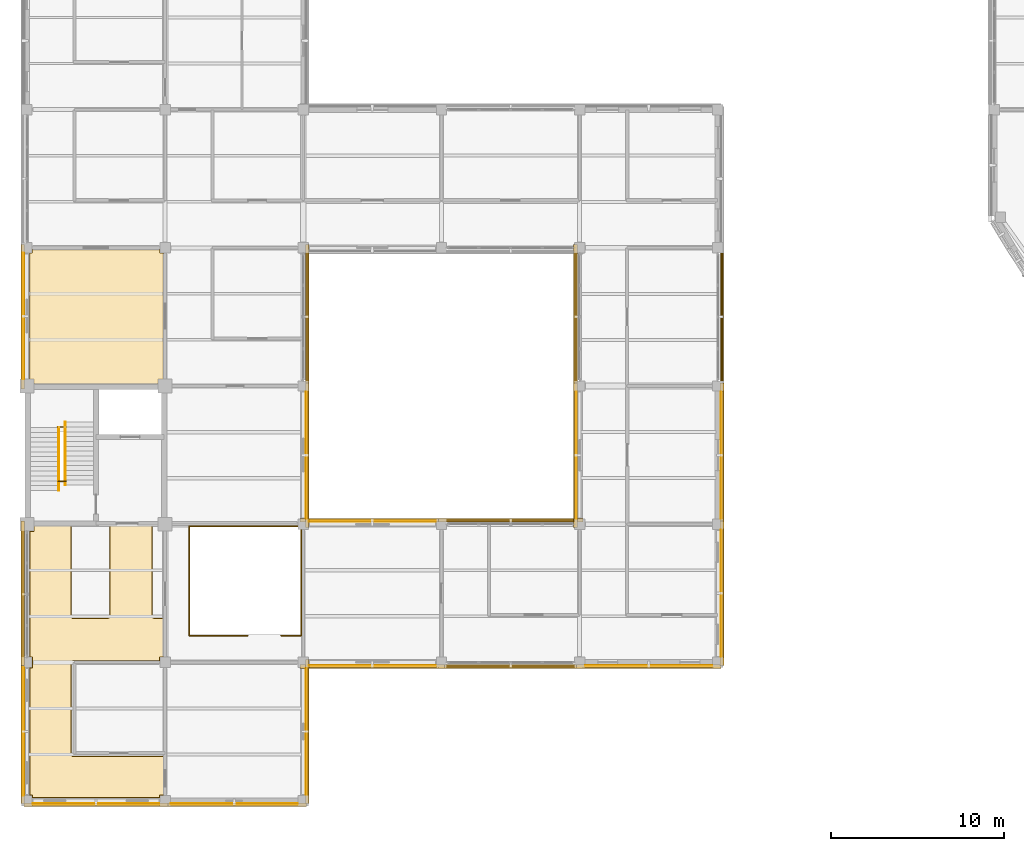
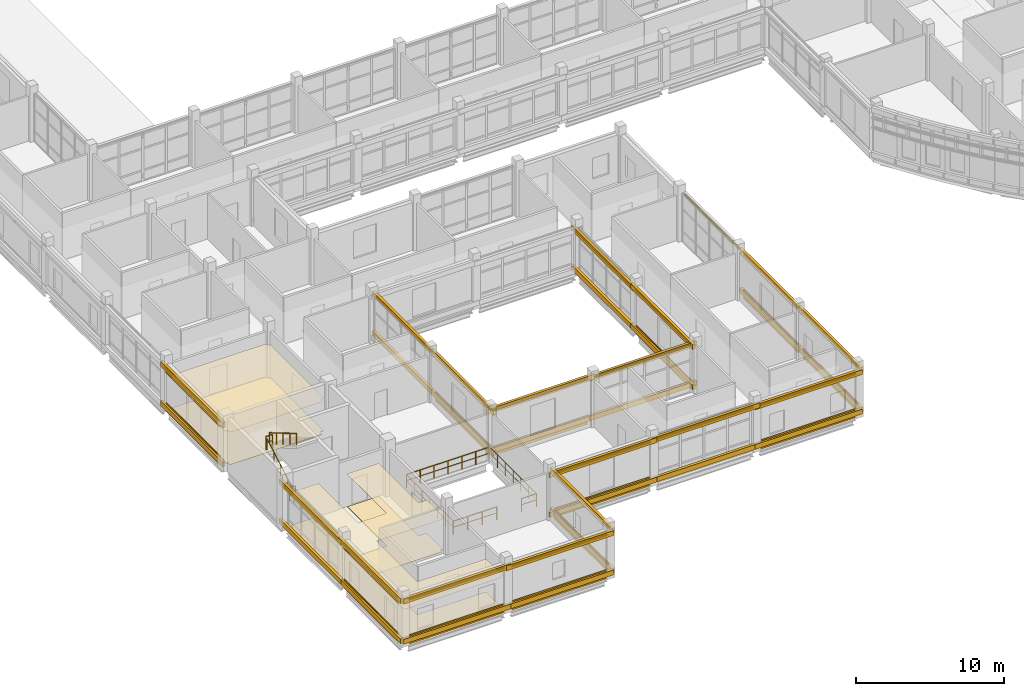
# One storey, part 107 of 121: 50 coverings, 20 shading devices, 9 railings.
"""IFC4 building model written with IfcOpenShell, lengths in metres."""

from ifc_helpers import new_model, si_unit, derived_unit, direction, frame, origin, origin_2d, place, context, subcontext, project, spatial, polyline, rectangle, circle, outline, extrude, material, layer, layer_set, material_profile, profile_set, type_object, element, save


model = new_model("IFC4")

# Units and contexts
model_context = context("Model", 3, precision=1e-05, world=origin(), true_north=direction((0.0, 1.0)))
body_context = subcontext(model_context, "Body", "Model", "MODEL_VIEW")
ifc_project = project(units=[si_unit("LENGTHUNIT", "METRE"), si_unit("AREAUNIT", "SQUARE_METRE"), si_unit("VOLUMEUNIT", "CUBIC_METRE"), si_unit("PLANEANGLEUNIT", "RADIAN"), si_unit("MASSUNIT", "GRAM", prefix="KILO"), derived_unit("THERMALTRANSMITTANCEUNIT", [(si_unit("MASSUNIT", "GRAM", prefix="KILO"), 1), (si_unit("TIMEUNIT", "SECOND"), -3), (si_unit("THERMODYNAMICTEMPERATUREUNIT", "KELVIN"), -1)])], contexts=[model_context])

# Site, building, storey
site_placement = place(None, origin())
site = spatial("IfcSite", under=ifc_project, at=site_placement, CompositionType="ELEMENT")
building_placement = place(site_placement, origin())
building = spatial("IfcBuilding", under=site, at=building_placement, Name="Veyamyaing Civic Hall", CompositionType="ELEMENT")
storey_placement = place(building_placement, frame((0.0, 0.0, 5.280029296875)))
storey = spatial("IfcBuildingStorey", under=building, at=storey_placement, Name="L01", CompositionType="ELEMENT", Elevation=5.280029296875)

# Coverings
ifc_material_1 = material(Name="Buff sandstone ashlar cladding", Category="masonry")
ifc_layer_1 = layer(ifc_material_1, 0.050048828125, Name="Buff sandstone ashlar cladding")
ifc_layer_set_1 = layer_set([ifc_layer_1], Name="Buff sandstone ashlar cladding")
covering_type_1 = type_object("IfcCoveringType", Name="CL-01", PredefinedType="CLADDING", material=ifc_layer_set_1)
for number, where, z_axis, x_axis, name in (
    (1, (4.0, -0.180908203125, 0.044921875), (0.0, 0.0, 1.0), (1.0, 0.0, 0.0), "Facade spandrel cladding CL-01 L01 S 1.1"),
    (2, (-0.180908203125, 4.0, 0.044921875), (0.0, 0.0, 1.0), (0.0, 1.0, 0.0), "Facade spandrel cladding CL-01 L01 W 1.1"),
):
    element("IfcCovering", number, at=place(storey_placement, frame(where, z_axis=z_axis, x_axis=x_axis)), inside=storey, type_object=covering_type_1, Name=name, PredefinedType="CLADDING", context=body_context, shape_type="SweptSolid", body=[
        extrude(rectangle(XDim=7.35009765625, YDim=0.050048828125, at=origin_2d()), origin(), (0.0, 0.0, 1.0), 0.75),
    ])
covering_1_placement = place(storey_placement, frame((-0.180908203125, 28.050048828125, 0.044921875), z_axis=(0.0, 0.0, 1.0), x_axis=(0.0, 1.0, 0.0)))
element("IfcCovering", 3, at=covering_1_placement, inside=storey, type_object=covering_type_1, Name="Facade spandrel cladding CL-01 L01 W 1.4", PredefinedType="CLADDING", context=body_context, shape_type="SweptSolid", body=[
    extrude(rectangle(XDim=7.25, YDim=0.050048828125, at=origin_2d()), origin(), (0.0, 0.0, 1.0), 0.75),
])
for number, where, z_axis, x_axis, name in (
    (4, (12.0, -0.180908203125, 0.044921875), (0.0, 0.0, 1.0), (1.0, 0.0, 0.0), "Facade spandrel cladding CL-01 L01 S 2.1"),
    (5, (16.180908203125, 4.0, 0.044921875), (0.0, 0.0, 1.0), (0.0, 1.0, 0.0), "Facade spandrel cladding CL-01 L01 E 2.1"),
    (6, (16.180908203125, 20.0, 0.044921875), (0.0, 0.0, 1.0), (0.0, 1.0, 0.0), "Facade spandrel cladding CL-01 L01 E 2.3"),
    (7, (20.0, 7.819091796875, 0.044921875), (0.0, 0.0, 1.0), (1.0, 0.0, 0.0), "Facade spandrel cladding CL-01 L01 S 3.2"),
    (8, (20.0, 16.180908203125, 0.044921875), (0.0, 0.0, 1.0), (1.0, 0.0, 0.0), "Facade spandrel cladding CL-01 L01 N 3.2"),
    (9, (36.0, 7.819091796875, 0.044921875), (0.0, 0.0, 1.0), (1.0, 0.0, 0.0), "Facade spandrel cladding CL-01 L01 S 5.2"),
    (10, (40.180908203125, 12.0, 0.044921875), (0.0, 0.0, 1.0), (0.0, 1.0, 0.0), "Facade spandrel cladding CL-01 L01 E 5.2"),
    (11, (31.819091796875, 20.0, 0.044921875), (0.0, 0.0, 1.0), (0.0, 1.0, 0.0), "Facade spandrel cladding CL-01 L01 W 5.3"),
    (12, (40.180908203125, 20.0, 0.044921875), (0.0, 0.0, 1.0), (0.0, 1.0, 0.0), "Facade spandrel cladding CL-01 L01 E 5.3"),
):
    element("IfcCovering", number, at=place(storey_placement, frame(where, z_axis=z_axis, x_axis=x_axis)), inside=storey, type_object=covering_type_1, Name=name, PredefinedType="CLADDING", context=body_context, shape_type="SweptSolid", body=[
        extrude(rectangle(XDim=7.35009765625, YDim=0.050048828125, at=origin_2d()), origin(), (0.0, 0.0, 1.0), 0.75),
    ])
ifc_material_2 = material(Name="White powder-coated aluminium 6063-T6", Category="aluminium")
ifc_layer_2 = layer(ifc_material_2, 0.2099609375, Name="White powder-coated aluminium 6063-T6")
ifc_layer_set_2 = layer_set([ifc_layer_2], Name="White powder-coated aluminium 6063-T6")
covering_type_2 = type_object("IfcCoveringType", Name="CL-03", PredefinedType="CLADDING", material=ifc_layer_set_2)
for number, where, z_axis, x_axis, name in (
    (13, (4.0, -0.239990234375, 3.593994140625), (0.0, 0.0, 1.0), (1.0, 0.0, 0.0), "Continuous white head fascia ribbon CL-03 L01 S 1.1"),
    (14, (4.0, -0.239990234375, 0.280029296875), (0.0, 0.0, 1.0), (1.0, 0.0, 0.0), "Continuous white sill fascia ribbon CL-03 L01 S 1.1"),
    (15, (-0.239990234375, 4.0, 3.593994140625), (0.0, 0.0, 1.0), (0.0, 1.0, 0.0), "Continuous white head fascia ribbon CL-03 L01 W 1.1"),
    (16, (-0.239990234375, 4.0, 0.280029296875), (0.0, 0.0, 1.0), (0.0, 1.0, 0.0), "Continuous white sill fascia ribbon CL-03 L01 W 1.1"),
    (17, (-0.239990234375, 12.0, 3.533935546875), (0.0, 0.0, 1.0), (0.0, 1.0, 0.0), "Continuous white head fascia ribbon CL-03 L01 W 1.2"),
    (18, (-0.239990234375, 12.0, 0.280029296875), (0.0, 0.0, 1.0), (0.0, 1.0, 0.0), "Continuous white sill fascia ribbon CL-03 L01 W 1.2"),
    (19, (-0.239990234375, 28.0, 3.530029296875), (0.0, 0.0, 1.0), (0.0, 1.0, 0.0), "Continuous white head fascia ribbon CL-03 L01 W 1.4"),
    (20, (-0.239990234375, 28.0, 0.280029296875), (0.0, 0.0, 1.0), (0.0, 1.0, 0.0), "Continuous white sill fascia ribbon CL-03 L01 W 1.4"),
    (21, (12.0, -0.239990234375, 3.533935546875), (0.0, 0.0, 1.0), (1.0, 0.0, 0.0), "Continuous white head fascia ribbon CL-03 L01 S 2.1"),
    (22, (12.0, -0.239990234375, 0.280029296875), (0.0, 0.0, 1.0), (1.0, 0.0, 0.0), "Continuous white sill fascia ribbon CL-03 L01 S 2.1"),
    (23, (16.239990234375, 4.0, 3.596923828125), (0.0, 0.0, 1.0), (0.0, 1.0, 0.0), "Continuous white head fascia ribbon CL-03 L01 E 2.1"),
    (24, (16.239990234375, 4.0, 0.280029296875), (0.0, 0.0, 1.0), (0.0, 1.0, 0.0), "Continuous white sill fascia ribbon CL-03 L01 E 2.1"),
    (25, (16.239990234375, 20.0, 3.593994140625), (0.0, 0.0, 1.0), (0.0, 1.0, 0.0), "Continuous white head fascia ribbon CL-03 L01 E 2.3"),
    (26, (16.239990234375, 20.0, 0.280029296875), (0.0, 0.0, 1.0), (0.0, 1.0, 0.0), "Continuous white sill fascia ribbon CL-03 L01 E 2.3"),
    (27, (16.239990234375, 28.0, 3.533935546875), (0.0, 0.0, 1.0), (0.0, 1.0, 0.0), "Continuous white head fascia ribbon CL-03 L01 E 2.4"),
    (28, (16.239990234375, 28.0, 0.280029296875), (0.0, 0.0, 1.0), (0.0, 1.0, 0.0), "Continuous white sill fascia ribbon CL-03 L01 E 2.4"),
    (29, (20.0, 7.760009765625, 3.530029296875), (0.0, 0.0, 1.0), (1.0, 0.0, 0.0), "Continuous white head fascia ribbon CL-03 L01 S 3.2"),
    (30, (20.0, 7.760009765625, 0.280029296875), (0.0, 0.0, 1.0), (1.0, 0.0, 0.0), "Continuous white sill fascia ribbon CL-03 L01 S 3.2"),
    (31, (20.0, 16.239990234375, 3.593994140625), (0.0, 0.0, 1.0), (1.0, 0.0, 0.0), "Continuous white head fascia ribbon CL-03 L01 N 3.2"),
    (32, (20.0, 16.239990234375, 0.280029296875), (0.0, 0.0, 1.0), (1.0, 0.0, 0.0), "Continuous white sill fascia ribbon CL-03 L01 N 3.2"),
    (33, (28.0, 7.760009765625, 3.593994140625), (0.0, 0.0, 1.0), (1.0, 0.0, 0.0), "Continuous white head fascia ribbon CL-03 L01 S 4.2"),
    (34, (28.0, 7.760009765625, 0.280029296875), (0.0, 0.0, 1.0), (1.0, 0.0, 0.0), "Continuous white sill fascia ribbon CL-03 L01 S 4.2"),
    (35, (28.0, 16.239990234375, 3.533935546875), (0.0, 0.0, 1.0), (1.0, 0.0, 0.0), "Continuous white head fascia ribbon CL-03 L01 N 4.2"),
    (36, (28.0, 16.239990234375, 0.280029296875), (0.0, 0.0, 1.0), (1.0, 0.0, 0.0), "Continuous white sill fascia ribbon CL-03 L01 N 4.2"),
    (37, (36.0, 7.760009765625, 3.533935546875), (0.0, 0.0, 1.0), (1.0, 0.0, 0.0), "Continuous white head fascia ribbon CL-03 L01 S 5.2"),
    (38, (36.0, 7.760009765625, 0.280029296875), (0.0, 0.0, 1.0), (1.0, 0.0, 0.0), "Continuous white sill fascia ribbon CL-03 L01 S 5.2"),
    (39, (40.239990234375, 12.0, 3.596923828125), (0.0, 0.0, 1.0), (0.0, 1.0, 0.0), "Continuous white head fascia ribbon CL-03 L01 E 5.2"),
    (40, (40.239990234375, 12.0, 0.280029296875), (0.0, 0.0, 1.0), (0.0, 1.0, 0.0), "Continuous white sill fascia ribbon CL-03 L01 E 5.2"),
    (41, (31.760009765625, 20.0, 3.596923828125), (0.0, 0.0, 1.0), (0.0, 1.0, 0.0), "Continuous white head fascia ribbon CL-03 L01 W 5.3"),
    (42, (31.760009765625, 20.0, 0.280029296875), (0.0, 0.0, 1.0), (0.0, 1.0, 0.0), "Continuous white sill fascia ribbon CL-03 L01 W 5.3"),
    (43, (40.239990234375, 20.0, 3.530029296875), (0.0, 0.0, 1.0), (0.0, 1.0, 0.0), "Continuous white head fascia ribbon CL-03 L01 E 5.3"),
    (44, (40.239990234375, 20.0, 0.280029296875), (0.0, 0.0, 1.0), (0.0, 1.0, 0.0), "Continuous white sill fascia ribbon CL-03 L01 E 5.3"),
    (45, (31.760009765625, 28.0, 3.530029296875), (0.0, 0.0, 1.0), (0.0, 1.0, 0.0), "Continuous white head fascia ribbon CL-03 L01 W 5.4"),
    (46, (31.760009765625, 28.0, 0.280029296875), (0.0, 0.0, 1.0), (0.0, 1.0, 0.0), "Continuous white sill fascia ribbon CL-03 L01 W 5.4"),
):
    element("IfcCovering", number, at=place(storey_placement, frame(where, z_axis=z_axis, x_axis=x_axis)), inside=storey, type_object=covering_type_2, Name=name, PredefinedType="CLADDING", context=body_context, shape_type="SweptSolid", body=[
        extrude(rectangle(XDim=8.360107421875, YDim=0.2099609375, at=origin_2d()), origin(), (0.0, 0.0, 1.0), 0.39990234375),
    ])
ifc_material_3 = material(Name="Perforated acoustic gypsum ceiling board")
ifc_layer_3 = layer(ifc_material_3, 0.02490234375, Name="Perforated acoustic gypsum ceiling board")
ifc_layer_set_3 = layer_set([ifc_layer_3], Name="Perforated acoustic gypsum ceiling board")
covering_type_3 = type_object("IfcCoveringType", Name="CLG-01", PredefinedType="CEILING", material=ifc_layer_set_3)
covering_2_placement = place(storey_placement, frame((0.0, 0.0, 2.699951171875)))
element("IfcCovering", 47, at=covering_2_placement, inside=storey, type_object=covering_type_3, Name="Acoustic suspended ceiling CLG-01 L01-H01", PredefinedType="CEILING", context=body_context, shape_type="SweptSolid", body=[
    extrude(outline(polyline([(0.284912109375, 31.905029296875), (7.715087890625, 31.905029296875), (7.715087890625, 31.715087890625), (7.905029296875, 31.715087890625), (7.905029296875, 24.385009765625), (7.614990234375, 24.385009765625), (7.614990234375, 24.094970703125), (0.385009765625, 24.094970703125), (0.385009765625, 24.385009765625), (0.155029296875, 24.385009765625), (0.155029296875, 31.715087890625), (0.284912109375, 31.715087890625), (0.284912109375, 31.905029296875)])), origin(), (0.0, 0.0, 1.0), 0.02490234375),
])
covering_3_placement = place(storey_placement, frame((0.0, 0.0, 2.699951171875)))
element("IfcCovering", 48, at=covering_3_placement, inside=storey, type_object=covering_type_3, Name="Acoustic suspended ceiling CLG-01 L01-C02", PredefinedType="CEILING", context=body_context, shape_type="SweptSolid", body=[
    extrude(outline(polyline([(2.584228515625, 10.614990234375), (2.602783203125, 10.59228515625), (2.62890625, 10.578369140625), (2.65185546875, 10.574951171875), (4.6982421875, 10.574951171875), (4.7216796875, 10.57861328125), (4.741455078125, 10.587890625), (4.7578125, 10.6025390625), (4.768798828125, 10.620849609375), (4.77490234375, 10.652587890625), (4.77490234375, 15.925048828125), (7.27490234375, 15.925048828125), (7.275390625, 10.643310546875), (7.28076171875, 10.6220703125), (7.297607421875, 10.5966796875), (7.314208984375, 10.58447265625), (7.343994140625, 10.575439453125), (7.925048828125, 10.574951171875), (7.925048828125, 8.284912109375), (7.715087890625, 8.284912109375), (7.715087890625, 8.074951171875), (2.652587890625, 8.074951171875), (2.62158203125, 8.06884765625), (2.597412109375, 8.052734375), (2.581298828125, 8.028564453125), (2.574951171875, 7.99755859375), (2.574951171875, 2.652587890625), (2.581298828125, 2.62158203125), (2.597412109375, 2.597412109375), (2.62158203125, 2.581298828125), (2.652587890625, 2.574951171875), (7.925048828125, 2.574951171875), (7.925048828125, 0.284912109375), (7.715087890625, 0.284912109375), (7.715087890625, 0.155029296875), (0.284912109375, 0.155029296875), (0.284912109375, 0.284912109375), (0.155029296875, 0.284912109375), (0.155029296875, 7.715087890625), (0.284912109375, 7.715087890625), (0.284912109375, 8.284912109375), (0.155029296875, 8.284912109375), (0.155029296875, 15.614990234375), (0.385009765625, 15.614990234375), (0.385009765625, 15.925048828125), (2.574951171875, 15.925048828125), (2.575439453125, 10.643798828125), (2.584228515625, 10.614990234375)])), origin(), (0.0, 0.0, 1.0), 0.02490234375),
])
ifc_material_4 = material(Name="Polished Mandalay marble and terrazzo flooring", Category="masonry")
ifc_layer_4 = layer(ifc_material_4, 0.030029296875, Name="Polished Mandalay marble and terrazzo flooring")
ifc_layer_set_4 = layer_set([ifc_layer_4], Name="Polished Mandalay marble and terrazzo flooring")
covering_type_4 = type_object("IfcCoveringType", Name="FLR-01", PredefinedType="FLOORING", material=ifc_layer_set_4)
covering_4_placement = place(storey_placement, origin())
element("IfcCovering", 49, at=covering_4_placement, inside=storey, type_object=covering_type_4, Name="Stone and terrazzo flooring FLR-01 L01-H01", PredefinedType="FLOORING", context=body_context, shape_type="SweptSolid", body=[
    extrude(outline(polyline([(0.31005859375, 31.8798828125), (7.68994140625, 31.8798828125), (7.68994140625, 31.68994140625), (7.8798828125, 31.68994140625), (7.8798828125, 24.409912109375), (7.590087890625, 24.409912109375), (7.590087890625, 24.1201171875), (0.409912109375, 24.1201171875), (0.409912109375, 24.409912109375), (0.179931640625, 24.409912109375), (0.179931640625, 31.68994140625), (0.31005859375, 31.68994140625), (0.31005859375, 31.8798828125)])), origin(), (0.0, 0.0, 1.0), 0.030029296875),
])
covering_5_placement = place(storey_placement, origin())
element("IfcCovering", 50, at=covering_5_placement, inside=storey, type_object=covering_type_4, Name="Stone and terrazzo flooring FLR-01 L01-C02", PredefinedType="FLOORING", context=body_context, shape_type="SweptSolid", body=[
    extrude(outline(polyline([(2.561767578125, 10.602783203125), (2.586669921875, 10.57275390625), (2.62109375, 10.55419921875), (2.64990234375, 10.550048828125), (4.699951171875, 10.550048828125), (4.72900390625, 10.55419921875), (4.755615234375, 10.56689453125), (4.77734375, 10.586669921875), (4.79248046875, 10.61181640625), (4.800048828125, 10.64990234375), (4.800048828125, 15.89990234375), (7.25, 15.89990234375), (7.25048828125, 10.64013671875), (7.257568359375, 10.61181640625), (7.279296875, 10.579345703125), (7.302978515625, 10.561767578125), (7.340087890625, 10.550537109375), (7.89990234375, 10.550048828125), (7.89990234375, 8.31005859375), (7.68994140625, 8.31005859375), (7.68994140625, 8.10009765625), (2.64990234375, 8.10009765625), (2.61181640625, 8.09228515625), (2.579345703125, 8.07080078125), (2.5576171875, 8.038330078125), (2.550048828125, 8.0), (2.550048828125, 2.64990234375), (2.5576171875, 2.61181640625), (2.579345703125, 2.579345703125), (2.61181640625, 2.5576171875), (2.64990234375, 2.550048828125), (7.89990234375, 2.550048828125), (7.89990234375, 0.31005859375), (7.68994140625, 0.31005859375), (7.68994140625, 0.179931640625), (0.31005859375, 0.179931640625), (0.31005859375, 0.31005859375), (0.179931640625, 0.31005859375), (0.179931640625, 7.68994140625), (0.31005859375, 7.68994140625), (0.31005859375, 8.31005859375), (0.179931640625, 8.31005859375), (0.179931640625, 15.590087890625), (0.409912109375, 15.590087890625), (0.409912109375, 15.89990234375), (2.550048828125, 15.89990234375), (2.550537109375, 10.64013671875), (2.561767578125, 10.602783203125)])), origin(), (0.0, 0.0, 1.0), 0.030029296875),
])

# Shading devices
ifc_material_5 = material(Name="Anodised aluminium 6063-T6", Category="aluminium")
ifc_material_profile_1 = material_profile(ifc_material_5, rectangle(XDim=0.050048828125, YDim=0.25, at=origin_2d()), Name="LOUVRE-BLADE-50X250")
ifc_profile_set_1 = profile_set([ifc_material_profile_1], Name="Anodised aluminium 6063-T6")
shading_device_type_1 = type_object("IfcShadingDeviceType", Name="LV-01", PredefinedType="JALOUSIE", material=ifc_profile_set_1)
shading_device_1_placement = place(storey_placement, frame((-0.219970703125, 0.284912109375, 3.424072265625), z_axis=(0.0, 1.0, 0.0), x_axis=(-1.0, 0.0, 0.0)))
element("IfcShadingDevice", 51, at=shading_device_1_placement, inside=storey, type_object=shading_device_type_1, Name="Monsoon solar louvre LV-01 L01 W 1.1", PredefinedType="JALOUSIE", context=body_context, shape_type="SweptSolid", body=[
    extrude(rectangle(XDim=0.050048828125, YDim=0.25, at=origin_2d()), origin(), (0.0, 0.0, 1.0), 7.43017578125),
])
shading_device_2_placement = place(storey_placement, frame((-0.219970703125, 24.385009765625, 3.35986328125), z_axis=(0.0, 1.0, 0.0), x_axis=(-1.0, 0.0, 0.0)))
element("IfcShadingDevice", 52, at=shading_device_2_placement, inside=storey, type_object=shading_device_type_1, Name="Monsoon solar louvre LV-01 L01 W 1.4", PredefinedType="JALOUSIE", context=body_context, shape_type="SweptSolid", body=[
    extrude(rectangle(XDim=0.050048828125, YDim=0.25, at=origin_2d()), origin(), (0.0, 0.0, 1.0), 7.330078125),
])

# Railings
ifc_material_6 = material(Name="Steel S355J2", Category="steel")
railing_type_1 = type_object("IfcRailingType", Name="RL-01", PredefinedType="BALUSTRADE", material=ifc_material_6)
railing_1_placement = place(storey_placement, frame((9.389892578125, 9.550048828125, 0.0)))
element("IfcRailing", 53, at=railing_1_placement, inside=storey, type_object=railing_type_1, Name="Ceremonial stair well guard ST-07.1", PredefinedType="BALUSTRADE", context=body_context, shape_type="SweptSolid", body=[
    extrude(circle(Radius=0.02392578125, at=origin_2d()), frame((0.0, 0.0, 1.076171875), z_axis=(1.0, 0.0, 0.0), x_axis=(0.0, 1.0, 0.0)), (0.0, 0.0, 1.0), 3.39013671875),
    extrude(circle(Radius=0.01416015625, at=origin_2d()), frame((0.0, 0.0, 0.572021484375), z_axis=(1.0, 0.0, 0.0), x_axis=(0.0, 1.0, 0.0)), (0.0, 0.0, 1.0), 3.39013671875),
    extrude(circle(Radius=0.02099609375, at=origin_2d()), origin(), (0.0, 0.0, 1.0), 1.052001953125),
    extrude(circle(Radius=0.02099609375, at=origin_2d()), frame((1.130126953125, 0.0, 0.0)), (0.0, 0.0, 1.0), 1.052001953125),
    extrude(circle(Radius=0.02099609375, at=origin_2d()), frame((2.260009765625, 0.0, 0.0)), (0.0, 0.0, 1.0), 1.052001953125),
    extrude(circle(Radius=0.02099609375, at=origin_2d()), frame((3.39013671875, 0.0, 0.0)), (0.0, 0.0, 1.0), 1.052001953125),
])
railing_2_placement = place(storey_placement, frame((14.719970703125, 9.550048828125, 0.0)))
element("IfcRailing", 54, at=railing_2_placement, inside=storey, type_object=railing_type_1, Name="Ceremonial stair well guard ST-07.2", PredefinedType="BALUSTRADE", context=body_context, shape_type="SweptSolid", body=[
    extrude(circle(Radius=0.02392578125, at=origin_2d()), frame((0.0, 0.0, 1.076171875), z_axis=(1.0, 0.0, 0.0), x_axis=(0.0, 1.0, 0.0)), (0.0, 0.0, 1.0), 1.159912109375),
    extrude(circle(Radius=0.01416015625, at=origin_2d()), frame((0.0, 0.0, 0.572021484375), z_axis=(1.0, 0.0, 0.0), x_axis=(0.0, 1.0, 0.0)), (0.0, 0.0, 1.0), 1.159912109375),
    extrude(circle(Radius=0.02099609375, at=origin_2d()), origin(), (0.0, 0.0, 1.0), 1.052001953125),
    extrude(circle(Radius=0.02099609375, at=origin_2d()), frame((1.159912109375, 0.0, 0.0)), (0.0, 0.0, 1.0), 1.052001953125),
])
railing_3_placement = place(storey_placement, frame((9.389892578125, 9.550048828125, 0.0)))
element("IfcRailing", 55, at=railing_3_placement, inside=storey, type_object=railing_type_1, Name="Ceremonial stair well guard ST-07.3", PredefinedType="BALUSTRADE", context=body_context, shape_type="SweptSolid", body=[
    extrude(circle(Radius=0.02392578125, at=origin_2d()), frame((0.0, 0.0, 1.076171875), z_axis=(0.0, 1.0, 0.0), x_axis=(-1.0, 0.0, 0.0)), (0.0, 0.0, 1.0), 6.329833984375),
    extrude(circle(Radius=0.01416015625, at=origin_2d()), frame((0.0, 0.0, 0.572021484375), z_axis=(0.0, 1.0, 0.0), x_axis=(-1.0, 0.0, 0.0)), (0.0, 0.0, 1.0), 6.329833984375),
    extrude(circle(Radius=0.02099609375, at=origin_2d()), origin(), (0.0, 0.0, 1.0), 1.052001953125),
    extrude(circle(Radius=0.02099609375, at=origin_2d()), frame((0.0, 1.054931640625, 0.0)), (0.0, 0.0, 1.0), 1.052001953125),
    extrude(circle(Radius=0.02099609375, at=origin_2d()), frame((0.0, 2.10986328125, 0.0)), (0.0, 0.0, 1.0), 1.052001953125),
    extrude(circle(Radius=0.02099609375, at=origin_2d()), frame((0.0, 3.1650390625, 0.0)), (0.0, 0.0, 1.0), 1.052001953125),
    extrude(circle(Radius=0.02099609375, at=origin_2d()), frame((0.0, 4.219970703125, 0.0)), (0.0, 0.0, 1.0), 1.052001953125),
    extrude(circle(Radius=0.02099609375, at=origin_2d()), frame((0.0, 5.27490234375, 0.0)), (0.0, 0.0, 1.0), 1.052001953125),
    extrude(circle(Radius=0.02099609375, at=origin_2d()), frame((0.0, 6.329833984375, 0.0)), (0.0, 0.0, 1.0), 1.052001953125),
])
railing_4_placement = place(storey_placement, frame((9.389892578125, 15.8798828125, 0.0)))
element("IfcRailing", 56, at=railing_4_placement, inside=storey, type_object=railing_type_1, Name="Ceremonial stair well guard ST-07.4", PredefinedType="BALUSTRADE", context=body_context, shape_type="SweptSolid", body=[
    extrude(circle(Radius=0.02392578125, at=origin_2d()), frame((0.0, 0.0, 1.076171875), z_axis=(1.0, 0.0, 0.0), x_axis=(0.0, 1.0, 0.0)), (0.0, 0.0, 1.0), 6.489990234375),
    extrude(circle(Radius=0.01416015625, at=origin_2d()), frame((0.0, 0.0, 0.572021484375), z_axis=(1.0, 0.0, 0.0), x_axis=(0.0, 1.0, 0.0)), (0.0, 0.0, 1.0), 6.489990234375),
    extrude(circle(Radius=0.02099609375, at=origin_2d()), origin(), (0.0, 0.0, 1.0), 1.052001953125),
    extrude(circle(Radius=0.02099609375, at=origin_2d()), frame((1.08154296875, 0.0, 0.0)), (0.0, 0.0, 1.0), 1.052001953125),
    extrude(circle(Radius=0.02099609375, at=origin_2d()), frame((2.163330078125, 0.0, 0.0)), (0.0, 0.0, 1.0), 1.052001953125),
    extrude(circle(Radius=0.02099609375, at=origin_2d()), frame((3.2451171875, 0.0, 0.0)), (0.0, 0.0, 1.0), 1.052001953125),
    extrude(circle(Radius=0.02099609375, at=origin_2d()), frame((4.32666015625, 0.0, 0.0)), (0.0, 0.0, 1.0), 1.052001953125),
    extrude(circle(Radius=0.02099609375, at=origin_2d()), frame((5.408203125, 0.0, 0.0)), (0.0, 0.0, 1.0), 1.052001953125),
    extrude(circle(Radius=0.02099609375, at=origin_2d()), frame((6.489990234375, 0.0, 0.0)), (0.0, 0.0, 1.0), 1.052001953125),
])
railing_5_placement = place(storey_placement, frame((15.8798828125, 15.8798828125, 0.0)))
element("IfcRailing", 57, at=railing_5_placement, inside=storey, type_object=railing_type_1, Name="Ceremonial stair well guard ST-07.5", PredefinedType="BALUSTRADE", context=body_context, shape_type="SweptSolid", body=[
    extrude(circle(Radius=0.02392578125, at=origin_2d()), frame((0.0, 0.0, 1.076171875), z_axis=(0.0, -1.0, 0.0), x_axis=(1.0, 0.0, 0.0)), (0.0, 0.0, 1.0), 6.329833984375),
    extrude(circle(Radius=0.01416015625, at=origin_2d()), frame((0.0, 0.0, 0.572021484375), z_axis=(0.0, -1.0, 0.0), x_axis=(1.0, 0.0, 0.0)), (0.0, 0.0, 1.0), 6.329833984375),
    extrude(circle(Radius=0.02099609375, at=origin_2d()), origin(), (0.0, 0.0, 1.0), 1.052001953125),
    extrude(circle(Radius=0.02099609375, at=origin_2d()), frame((0.0, -1.054931640625, 0.0)), (0.0, 0.0, 1.0), 1.052001953125),
    extrude(circle(Radius=0.02099609375, at=origin_2d()), frame((0.0, -2.10986328125, 0.0)), (0.0, 0.0, 1.0), 1.052001953125),
    extrude(circle(Radius=0.02099609375, at=origin_2d()), frame((0.0, -3.1650390625, 0.0)), (0.0, 0.0, 1.0), 1.052001953125),
    extrude(circle(Radius=0.02099609375, at=origin_2d()), frame((0.0, -4.219970703125, 0.0)), (0.0, 0.0, 1.0), 1.052001953125),
    extrude(circle(Radius=0.02099609375, at=origin_2d()), frame((0.0, -5.27490234375, 0.0)), (0.0, 0.0, 1.0), 1.052001953125),
    extrude(circle(Radius=0.02099609375, at=origin_2d()), frame((0.0, -6.329833984375, 0.0)), (0.0, 0.0, 1.0), 1.052001953125),
])
railing_6_placement = place(storey_placement, frame((1.780029296875, 21.6298828125, 2.31005859375)))
element("IfcRailing", 58, at=railing_6_placement, inside=storey, type_object=railing_type_1, Name="Half-landing slot guard RL-01 ST-09 L01", PredefinedType="BALUSTRADE", context=body_context, shape_type="SweptSolid", body=[
    extrude(circle(Radius=0.02392578125, at=origin_2d()), frame((0.0, 0.0, 1.076171875), z_axis=(1.0, 0.0, 0.0), x_axis=(0.0, 1.0, 0.0)), (0.0, 0.0, 1.0), 0.489990234375),
    extrude(circle(Radius=0.01416015625, at=origin_2d()), frame((0.0, 0.0, 0.572021484375), z_axis=(1.0, 0.0, 0.0), x_axis=(0.0, 1.0, 0.0)), (0.0, 0.0, 1.0), 0.489990234375),
    extrude(circle(Radius=0.02099609375, at=origin_2d()), origin(), (0.0, 0.0, 1.0), 1.052001953125),
    extrude(circle(Radius=0.02099609375, at=origin_2d()), frame((0.489990234375, 0.0, 0.0)), (0.0, 0.0, 1.0), 1.052001953125),
])
railing_7_placement = place(storey_placement, frame((1.800048828125, 18.47998046875, 0.0)))
element("IfcRailing", 59, at=railing_7_placement, inside=storey, type_object=railing_type_1, Name="Floor-landing slot guard RL-01 ST-09 L01", PredefinedType="BALUSTRADE", context=body_context, shape_type="SweptSolid", body=[
    extrude(circle(Radius=0.02392578125, at=origin_2d()), frame((0.0, 0.0, 1.076171875), z_axis=(1.0, 0.0, 0.0), x_axis=(0.0, 1.0, 0.0)), (0.0, 0.0, 1.0), 0.469970703125),
    extrude(circle(Radius=0.01416015625, at=origin_2d()), frame((0.0, 0.0, 0.572021484375), z_axis=(1.0, 0.0, 0.0), x_axis=(0.0, 1.0, 0.0)), (0.0, 0.0, 1.0), 0.469970703125),
    extrude(circle(Radius=0.02099609375, at=origin_2d()), origin(), (0.0, 0.0, 1.0), 1.052001953125),
    extrude(circle(Radius=0.02099609375, at=origin_2d()), frame((0.469970703125, 0.0, 0.0)), (0.0, 0.0, 1.0), 1.052001953125),
])
railing_type_2 = type_object("IfcRailingType", Name="RL-02", PredefinedType="HANDRAIL", material=ifc_material_6)
railing_8_placement = place(storey_placement, frame((1.840087890625, 17.949951171875, 0.1650390625)))
element("IfcRailing", 60, at=railing_8_placement, inside=storey, type_object=railing_type_2, Name="Stair pitch handrail RL-02 ST-09 L01.1", PredefinedType="HANDRAIL", context=body_context, shape_type="SweptSolid", body=[
    extrude(circle(Radius=0.02392578125, at=origin_2d()), frame((0.0, 0.0, 0.89599609375), z_axis=(0.0, 0.861544779993, 0.507681585313), x_axis=(-1.0, 0.0, 0.0)), (0.0, 0.0, 1.0), 4.22509765625),
    extrude(circle(Radius=0.02099609375, at=origin_2d()), origin(), (0.0, 0.0, 1.0), 0.871826171875),
    extrude(circle(Radius=0.02099609375, at=origin_2d()), frame((0.0, 0.91015625, 0.5361328125)), (0.0, 0.0, 1.0), 0.871826171875),
    extrude(circle(Radius=0.02099609375, at=origin_2d()), frame((0.0, 1.820068359375, 1.072509765625)), (0.0, 0.0, 1.0), 0.871826171875),
    extrude(circle(Radius=0.02099609375, at=origin_2d()), frame((0.0, 2.72998046875, 1.60888671875)), (0.0, 0.0, 1.0), 0.871826171875),
    extrude(circle(Radius=0.02099609375, at=origin_2d()), frame((0.0, 3.64013671875, 2.14501953125)), (0.0, 0.0, 1.0), 0.871826171875),
])
railing_9_placement = place(storey_placement, frame((2.219970703125, 21.909912109375, 2.474853515625)))
element("IfcRailing", 61, at=railing_9_placement, inside=storey, type_object=railing_type_2, Name="Stair pitch handrail RL-02 ST-09 L01.2", PredefinedType="HANDRAIL", context=body_context, shape_type="SweptSolid", body=[
    extrude(circle(Radius=0.02392578125, at=origin_2d()), frame((0.0, 0.0, 0.89599609375), z_axis=(0.0, -0.861529885852, 0.507706860091), x_axis=(1.0, 0.0, 0.0)), (0.0, 0.0, 1.0), 4.224853515625),
    extrude(circle(Radius=0.02099609375, at=origin_2d()), origin(), (0.0, 0.0, 1.0), 0.871826171875),
    extrude(circle(Radius=0.02099609375, at=origin_2d()), frame((0.0, -0.909912109375, 0.5361328125)), (0.0, 0.0, 1.0), 0.871826171875),
    extrude(circle(Radius=0.02099609375, at=origin_2d()), frame((0.0, -1.81982421875, 1.072509765625)), (0.0, 0.0, 1.0), 0.871826171875),
    extrude(circle(Radius=0.02099609375, at=origin_2d()), frame((0.0, -2.72998046875, 1.60888671875)), (0.0, 0.0, 1.0), 0.871826171875),
    extrude(circle(Radius=0.02099609375, at=origin_2d()), frame((0.0, -3.639892578125, 2.14501953125)), (0.0, 0.0, 1.0), 0.871826171875),
])

# Shading devices
ifc_material_profile_2 = material_profile(ifc_material_2, circle(Radius=0.090087890625, at=origin_2d()), Name="SHADE-TUBE-180")
ifc_profile_set_2 = profile_set([ifc_material_profile_2], Name="White powder-coated aluminium 6063-T6")
shading_device_type_2 = type_object("IfcShadingDeviceType", Name="SH-02", PredefinedType="USERDEFINED", material=ifc_profile_set_2)
for number, where, z_axis, x_axis, name in (
    (62, (0.284912109375, -0.239990234375, 3.75390625), (1.0, 0.0, 0.0), (0.0, 1.0, 0.0), "Horizontal white sunshade ribbon SH-02 L01 S 1.1"),
    (63, (-0.239990234375, 0.284912109375, 3.75390625), (0.0, 1.0, 0.0), (-1.0, 0.0, 0.0), "Horizontal white sunshade ribbon SH-02 L01 W 1.1"),
):
    element("IfcShadingDevice", number, at=place(storey_placement, frame(where, z_axis=z_axis, x_axis=x_axis)), inside=storey, type_object=shading_device_type_2, Name=name, ObjectType="SUNSHADE", PredefinedType="USERDEFINED", context=body_context, shape_type="SweptSolid", body=[
        extrude(circle(Radius=0.090087890625, at=origin_2d()), origin(), (0.0, 0.0, 1.0), 7.43017578125),
    ])
for number, where, z_axis, x_axis, name in (
    (64, (-0.239990234375, 8.284912109375, 3.694091796875), (0.0, 1.0, 0.0), (-1.0, 0.0, 0.0), "Horizontal white sunshade ribbon SH-02 L01 W 1.2"),
    (65, (-0.239990234375, 24.385009765625, 3.68994140625), (0.0, 1.0, 0.0), (-1.0, 0.0, 0.0), "Horizontal white sunshade ribbon SH-02 L01 W 1.4"),
):
    element("IfcShadingDevice", number, at=place(storey_placement, frame(where, z_axis=z_axis, x_axis=x_axis)), inside=storey, type_object=shading_device_type_2, Name=name, ObjectType="SUNSHADE", PredefinedType="USERDEFINED", context=body_context, shape_type="SweptSolid", body=[
        extrude(circle(Radius=0.090087890625, at=origin_2d()), origin(), (0.0, 0.0, 1.0), 7.330078125),
    ])
for number, where, z_axis, x_axis, name in (
    (66, (8.284912109375, -0.239990234375, 3.694091796875), (1.0, 0.0, 0.0), (0.0, 1.0, 0.0), "Horizontal white sunshade ribbon SH-02 L01 S 2.1"),
    (67, (16.239990234375, 0.284912109375, 3.757080078125), (0.0, 1.0, 0.0), (-1.0, 0.0, 0.0), "Horizontal white sunshade ribbon SH-02 L01 E 2.1"),
    (68, (16.239990234375, 16.284912109375, 3.75390625), (0.0, 1.0, 0.0), (-1.0, 0.0, 0.0), "Horizontal white sunshade ribbon SH-02 L01 E 2.3"),
    (69, (16.239990234375, 24.284912109375, 3.694091796875), (0.0, 1.0, 0.0), (-1.0, 0.0, 0.0), "Horizontal white sunshade ribbon SH-02 L01 E 2.4"),
    (70, (16.284912109375, 7.760009765625, 3.68994140625), (1.0, 0.0, 0.0), (0.0, 1.0, 0.0), "Horizontal white sunshade ribbon SH-02 L01 S 3.2"),
    (71, (16.284912109375, 16.239990234375, 3.75390625), (1.0, 0.0, 0.0), (0.0, 1.0, 0.0), "Horizontal white sunshade ribbon SH-02 L01 N 3.2"),
    (72, (24.284912109375, 7.760009765625, 3.75390625), (1.0, 0.0, 0.0), (0.0, 1.0, 0.0), "Horizontal white sunshade ribbon SH-02 L01 S 4.2"),
    (73, (24.284912109375, 16.239990234375, 3.694091796875), (1.0, 0.0, 0.0), (0.0, 1.0, 0.0), "Horizontal white sunshade ribbon SH-02 L01 N 4.2"),
    (74, (32.284912109375, 7.760009765625, 3.694091796875), (1.0, 0.0, 0.0), (0.0, 1.0, 0.0), "Horizontal white sunshade ribbon SH-02 L01 S 5.2"),
    (75, (40.239990234375, 8.284912109375, 3.757080078125), (0.0, 1.0, 0.0), (-1.0, 0.0, 0.0), "Horizontal white sunshade ribbon SH-02 L01 E 5.2"),
    (76, (31.760009765625, 16.284912109375, 3.757080078125), (0.0, 1.0, 0.0), (-1.0, 0.0, 0.0), "Horizontal white sunshade ribbon SH-02 L01 W 5.3"),
    (77, (40.239990234375, 16.284912109375, 3.68994140625), (0.0, 1.0, 0.0), (-1.0, 0.0, 0.0), "Horizontal white sunshade ribbon SH-02 L01 E 5.3"),
    (78, (31.760009765625, 24.284912109375, 3.68994140625), (0.0, 1.0, 0.0), (-1.0, 0.0, 0.0), "Horizontal white sunshade ribbon SH-02 L01 W 5.4"),
    (79, (40.239990234375, 24.284912109375, 3.75390625), (0.0, 1.0, 0.0), (-1.0, 0.0, 0.0), "Horizontal white sunshade ribbon SH-02 L01 E 5.4"),
):
    element("IfcShadingDevice", number, at=place(storey_placement, frame(where, z_axis=z_axis, x_axis=x_axis)), inside=storey, type_object=shading_device_type_2, Name=name, ObjectType="SUNSHADE", PredefinedType="USERDEFINED", context=body_context, shape_type="SweptSolid", body=[
        extrude(circle(Radius=0.090087890625, at=origin_2d()), origin(), (0.0, 0.0, 1.0), 7.43017578125),
    ])

save(model, "model.ifc")
